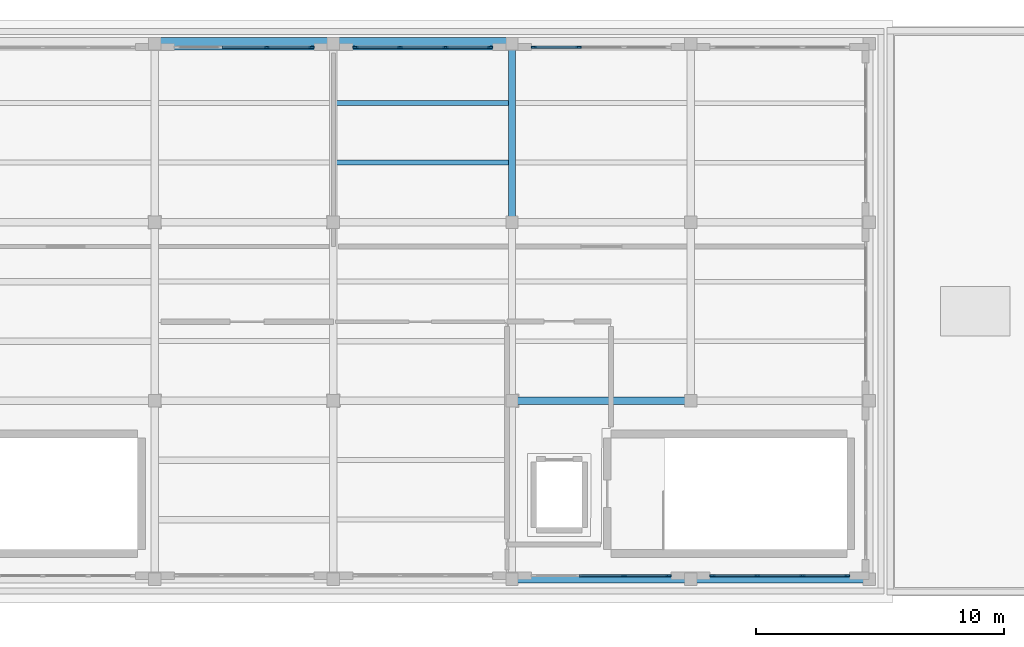
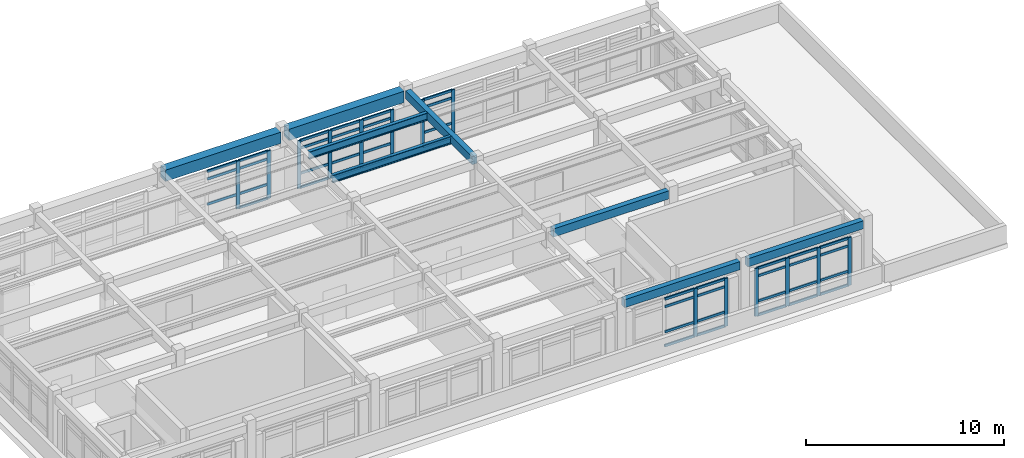
# One storey, part 5 of 12: 57 members, 8 beams, 5 elements without a shape of their own.
"""IFC4 building model written with IfcOpenShell, lengths in metres."""

from ifc_helpers import new_model, si_unit, direction, frame, origin, origin_2d, place, context, subcontext, project, spatial, rectangle, i_section, extrude, material, layer, layer_set, material_profile, profile_set, type_object, element, aggregate, save


model = new_model("IFC4")

# Units and contexts
model_context = context("Model", 3, precision=1e-05, world=origin(), true_north=direction((0.0, 1.0)))
body_context = subcontext(model_context, "Body", "Model", "MODEL_VIEW")
ifc_project = project(units=[si_unit("LENGTHUNIT", "METRE"), si_unit("AREAUNIT", "SQUARE_METRE"), si_unit("VOLUMEUNIT", "CUBIC_METRE"), si_unit("PLANEANGLEUNIT", "RADIAN"), si_unit("MASSUNIT", "GRAM", prefix="KILO")], contexts=[model_context])

# Site, building, storey
site_placement = place(None, origin())
site = spatial("IfcSite", under=ifc_project, at=site_placement, CompositionType="ELEMENT")
building_placement = place(site_placement, origin())
building = spatial("IfcBuilding", under=site, at=building_placement, Name="Solenvale Faculty of Natural Sciences", CompositionType="ELEMENT")
storey_placement = place(building_placement, frame((0.0, 0.0, 52.199951171875)))
storey = spatial("IfcBuildingStorey", under=building, at=storey_placement, Name="RF", CompositionType="ELEMENT", Elevation=52.199951171875)

# Beams
ifc_material_1 = material(Name="Concrete 40 MPa", Category="concrete")
ifc_material_profile_1 = material_profile(ifc_material_1, rectangle(XDim=0.300048828125, YDim=0.5, at=origin_2d()), Name="RC-BM-300x500")
ifc_profile_set_1 = profile_set([ifc_material_profile_1], Name="Concrete 40 MPa")
beam_type_1 = type_object("IfcBeamType", Name="BM-RC-300x500", PredefinedType="BEAM", material=ifc_profile_set_1)
for number, where, z_axis, x_axis, name in (
    (1, (129.830078125, 93.60009765625, 3.670166015625), (1.0, 0.0, 0.0), (0.0, 1.0, 0.0), "RF X-Girder Y93.6 (129.6..136.8)"),
    (2, (137.030029296875, 93.60009765625, 3.670166015625), (1.0, 0.0, 0.0), (0.0, 1.0, 0.0), "RF X-Girder Y93.6 (136.8..144.0)"),
    (3, (129.830078125, 100.800048828125, 3.670166015625), (1.0, 0.0, 0.0), (0.0, 1.0, 0.0), "RF X-Girder Y100.8 (129.6..136.8)"),
    (4, (129.60009765625, 108.22998046875, 3.670166015625), (0.0, 1.0, 0.0), (-1.0, 0.0, 0.0), "RF Y-Girder X129.6 (108.0..115.2)"),
):
    element("IfcBeam", number, at=place(storey_placement, frame(where, z_axis=z_axis, x_axis=x_axis)), inside=storey, type_object=beam_type_1, Name=name, PredefinedType="BEAM", context=body_context, shape_type="SweptSolid", body=[
        extrude(rectangle(XDim=0.300048828125, YDim=0.5, at=origin_2d()), origin(), (0.0, 0.0, 1.0), 6.739990234375),
    ])
ifc_material_2 = material(Name="Precast concrete 40 MPa", Category="concrete")
ifc_material_profile_2 = material_profile(ifc_material_2, rectangle(XDim=0.5, YDim=0.699951171875, at=origin_2d()), Name="RC-BM-500x700")
ifc_profile_set_2 = profile_set([ifc_material_profile_2], Name="Precast concrete 40 MPa")
beam_type_2 = type_object("IfcBeamType", Name="BM-SPN-PRC-700", PredefinedType="SPANDREL", material=ifc_profile_set_2)
beam_1_placement = place(storey_placement, frame((115.429931640625, 115.199951171875, 3.570068359375), z_axis=(1.0, 0.0, 0.0), x_axis=(0.0, 1.0, 0.0)))
element("IfcBeam", 5, at=beam_1_placement, inside=storey, type_object=beam_type_2, Name="RF X-Girder Y115.2 (115.2..122.4)", PredefinedType="SPANDREL", context=body_context, shape_type="SweptSolid", body=[
    extrude(rectangle(XDim=0.5, YDim=0.699951171875, at=origin_2d()), origin(), (0.0, 0.0, 1.0), 6.739990234375),
])
beam_2_placement = place(storey_placement, frame((122.6298828125, 115.199951171875, 3.570068359375), z_axis=(1.0, 0.0, 0.0), x_axis=(0.0, 1.0, 0.0)))
element("IfcBeam", 6, at=beam_2_placement, inside=storey, type_object=beam_type_2, Name="RF X-Girder Y115.2 (122.4..129.6)", PredefinedType="SPANDREL", context=body_context, shape_type="SweptSolid", body=[
    extrude(rectangle(XDim=0.5, YDim=0.699951171875, at=origin_2d()), origin(), (0.0, 0.0, 1.0), 6.740234375),
])
ifc_material_3 = material(Name="Steel S355", Category="steel")
ifc_material_profile_3 = material_profile(ifc_material_3, i_section(OverallWidth=0.194091796875, OverallDepth=0.468994140625, WebThickness=0.0126953125, FlangeThickness=0.0205078125, FilletRadius=0.01806640625, at=origin_2d()), Name="W460x106")
ifc_profile_set_3 = profile_set([ifc_material_profile_3], Name="Steel S355")
beam_type_3 = type_object("IfcBeamType", Name="BM-STL-W460x106", PredefinedType="JOIST", material=ifc_profile_set_3)
for number, where, z_axis, x_axis, name in (
    (7, (122.530029296875, 110.39990234375, 3.685546875), (1.0, 0.0, 0.0), (0.0, 1.0, 0.0), "RF Composite Floor Joist (18,16).1"),
    (8, (122.530029296875, 112.800048828125, 3.685546875), (1.0, 0.0, 0.0), (0.0, 1.0, 0.0), "RF Composite Floor Joist (18,16).2"),
):
    element("IfcBeam", number, at=place(storey_placement, frame(where, z_axis=z_axis, x_axis=x_axis)), inside=storey, type_object=beam_type_3, Name=name, PredefinedType="JOIST", context=body_context, shape_type="SweptSolid", body=[
        extrude(i_section(OverallWidth=0.194091796875, OverallDepth=0.468994140625, WebThickness=0.0126953125, FlangeThickness=0.0205078125, FilletRadius=0.01806640625, at=origin_2d()), origin(), (0.0, 0.0, 1.0), 6.93994140625),
    ])

# Curtain wall, members
ifc_material_4 = material(Name="Anodised bronze aluminium", Category="aluminium")
ifc_layer = layer(ifc_material_4, 0.179931640625)
ifc_layer_set = layer_set([ifc_layer], Name="Anodised bronze aluminium")
curtain_wall_type = type_object("IfcCurtainWallType", Name="CW-TWR-MOD", PredefinedType="USERDEFINED", material=ifc_layer_set)
curtain_wall_1_placement = place(storey_placement, origin())
curtain_wall_1 = element("IfcCurtainWall", 9, at=curtain_wall_1_placement, inside=storey, type_object=curtain_wall_type, Name="RF Curtain Wall CW-RF-P1-E2-B2", ObjectType="UNITISED CURTAIN WALL", PredefinedType="USERDEFINED")
ifc_material_profile_4 = material_profile(ifc_material_4, rectangle(XDim=0.074951171875, YDim=0.2099609375, at=origin_2d()), Name="ALU-MUL-75x210")
ifc_profile_set_4 = profile_set([ifc_material_profile_4], Name="Anodised bronze aluminium")
member_type_1 = type_object("IfcMemberType", Name="CWM-ALU-75x210", PredefinedType="MULLION", material=ifc_profile_set_4)
member_1_placement = place(storey_placement, frame((132.283447265625, 115.0576171875, 0.0), z_axis=(0.0, 0.0, 1.0), x_axis=(0.0, -1.0, 0.0)))
member_1 = element("IfcMember", 10, at=member_1_placement, type_object=member_type_1, Name="CW-04 mullion 3", PredefinedType="MULLION", context=body_context, shape_type="SweptSolid", body=[
    extrude(rectangle(XDim=0.074951171875, YDim=0.2099609375, at=origin_2d()), origin(), (0.0, 0.0, 1.0), 2.9599609375),
])
member_2_placement = place(storey_placement, frame((130.487548828125, 115.0576171875, 0.0), z_axis=(0.0, 0.0, 1.0), x_axis=(0.0, -1.0, 0.0)))
member_2 = element("IfcMember", 11, at=member_2_placement, type_object=member_type_1, Name="CW-04 mullion 4", PredefinedType="MULLION", context=body_context, shape_type="SweptSolid", body=[
    extrude(rectangle(XDim=0.074951171875, YDim=0.2099609375, at=origin_2d()), origin(), (0.0, 0.0, 1.0), 2.9599609375),
])

curtain_wall_2_placement = place(storey_placement, origin())
curtain_wall_2 = element("IfcCurtainWall", 12, at=curtain_wall_2_placement, inside=storey, type_object=curtain_wall_type, Name="RF Curtain Wall CW-RF-P1-E2-B3", ObjectType="UNITISED CURTAIN WALL", PredefinedType="USERDEFINED")
member_3_placement = place(storey_placement, frame((128.71240234375, 115.0576171875, 0.0), z_axis=(0.0, 0.0, 1.0), x_axis=(0.0, -1.0, 0.0)))
member_3 = element("IfcMember", 13, at=member_3_placement, type_object=member_type_1, Name="CW-04 mullion 1", PredefinedType="MULLION", context=body_context, shape_type="SweptSolid", body=[
    extrude(rectangle(XDim=0.074951171875, YDim=0.2099609375, at=origin_2d()), origin(), (0.0, 0.0, 1.0), 2.9599609375),
])
member_4_placement = place(storey_placement, frame((126.916748046875, 115.0576171875, 0.0), z_axis=(0.0, 0.0, 1.0), x_axis=(0.0, -1.0, 0.0)))
member_4 = element("IfcMember", 14, at=member_4_placement, type_object=member_type_1, Name="CW-04 mullion 2", PredefinedType="MULLION", context=body_context, shape_type="SweptSolid", body=[
    extrude(rectangle(XDim=0.074951171875, YDim=0.2099609375, at=origin_2d()), origin(), (0.0, 0.0, 1.0), 2.9599609375),
])
member_5_placement = place(storey_placement, frame((125.083251953125, 115.0576171875, 0.0), z_axis=(0.0, 0.0, 1.0), x_axis=(0.0, -1.0, 0.0)))
member_5 = element("IfcMember", 15, at=member_5_placement, type_object=member_type_1, Name="CW-04 mullion 3", PredefinedType="MULLION", context=body_context, shape_type="SweptSolid", body=[
    extrude(rectangle(XDim=0.074951171875, YDim=0.2099609375, at=origin_2d()), origin(), (0.0, 0.0, 1.0), 2.9599609375),
])
member_6_placement = place(storey_placement, frame((123.28759765625, 115.0576171875, 0.0), z_axis=(0.0, 0.0, 1.0), x_axis=(0.0, -1.0, 0.0)))
member_6 = element("IfcMember", 16, at=member_6_placement, type_object=member_type_1, Name="CW-04 mullion 4", PredefinedType="MULLION", context=body_context, shape_type="SweptSolid", body=[
    extrude(rectangle(XDim=0.074951171875, YDim=0.2099609375, at=origin_2d()), origin(), (0.0, 0.0, 1.0), 2.9599609375),
])

curtain_wall_3_placement = place(storey_placement, origin())
curtain_wall_3 = element("IfcCurtainWall", 17, at=curtain_wall_3_placement, inside=storey, type_object=curtain_wall_type, Name="RF Curtain Wall CW-RF-P1-E2-B4", ObjectType="UNITISED CURTAIN WALL", PredefinedType="USERDEFINED")
member_7_placement = place(storey_placement, frame((121.512451171875, 115.0576171875, 0.0), z_axis=(0.0, 0.0, 1.0), x_axis=(0.0, -1.0, 0.0)))
member_7 = element("IfcMember", 18, at=member_7_placement, type_object=member_type_1, Name="CW-04 mullion 1", PredefinedType="MULLION", context=body_context, shape_type="SweptSolid", body=[
    extrude(rectangle(XDim=0.074951171875, YDim=0.2099609375, at=origin_2d()), origin(), (0.0, 0.0, 1.0), 2.9599609375),
])
member_8_placement = place(storey_placement, frame((119.716552734375, 115.0576171875, 0.0), z_axis=(0.0, 0.0, 1.0), x_axis=(0.0, -1.0, 0.0)))
member_8 = element("IfcMember", 19, at=member_8_placement, type_object=member_type_1, Name="CW-04 mullion 2", PredefinedType="MULLION", context=body_context, shape_type="SweptSolid", body=[
    extrude(rectangle(XDim=0.074951171875, YDim=0.2099609375, at=origin_2d()), origin(), (0.0, 0.0, 1.0), 2.9599609375),
])

curtain_wall_4_placement = place(storey_placement, origin())
curtain_wall_4 = element("IfcCurtainWall", 20, at=curtain_wall_4_placement, inside=storey, type_object=curtain_wall_type, Name="RF Curtain Wall CW-RF-P1-E4-B5", ObjectType="UNITISED CURTAIN WALL", PredefinedType="USERDEFINED")
member_9_placement = place(storey_placement, frame((134.11669921875, 93.742431640625, 0.0), z_axis=(0.0, 0.0, 1.0), x_axis=(0.0, 1.0, 0.0)))
member_9 = element("IfcMember", 21, at=member_9_placement, type_object=member_type_1, Name="CW-04 mullion 3", PredefinedType="MULLION", context=body_context, shape_type="SweptSolid", body=[
    extrude(rectangle(XDim=0.074951171875, YDim=0.2099609375, at=origin_2d()), origin(), (0.0, 0.0, 1.0), 2.9599609375),
])
member_10_placement = place(storey_placement, frame((135.91259765625, 93.742431640625, 0.0), z_axis=(0.0, 0.0, 1.0), x_axis=(0.0, 1.0, 0.0)))
member_10 = element("IfcMember", 22, at=member_10_placement, type_object=member_type_1, Name="CW-04 mullion 4", PredefinedType="MULLION", context=body_context, shape_type="SweptSolid", body=[
    extrude(rectangle(XDim=0.074951171875, YDim=0.2099609375, at=origin_2d()), origin(), (0.0, 0.0, 1.0), 2.9599609375),
])

curtain_wall_5_placement = place(storey_placement, origin())
curtain_wall_5 = element("IfcCurtainWall", 23, at=curtain_wall_5_placement, inside=storey, type_object=curtain_wall_type, Name="RF Curtain Wall CW-RF-P1-E4-B6", ObjectType="UNITISED CURTAIN WALL", PredefinedType="USERDEFINED")
member_11_placement = place(storey_placement, frame((137.6875, 93.742431640625, 0.0), z_axis=(0.0, 0.0, 1.0), x_axis=(0.0, 1.0, 0.0)))
member_11 = element("IfcMember", 24, at=member_11_placement, type_object=member_type_1, Name="CW-04 mullion 1", PredefinedType="MULLION", context=body_context, shape_type="SweptSolid", body=[
    extrude(rectangle(XDim=0.074951171875, YDim=0.2099609375, at=origin_2d()), origin(), (0.0, 0.0, 1.0), 2.9599609375),
])
member_12_placement = place(storey_placement, frame((139.4833984375, 93.742431640625, 0.0), z_axis=(0.0, 0.0, 1.0), x_axis=(0.0, 1.0, 0.0)))
member_12 = element("IfcMember", 25, at=member_12_placement, type_object=member_type_1, Name="CW-04 mullion 2", PredefinedType="MULLION", context=body_context, shape_type="SweptSolid", body=[
    extrude(rectangle(XDim=0.074951171875, YDim=0.2099609375, at=origin_2d()), origin(), (0.0, 0.0, 1.0), 2.9599609375),
])
member_13_placement = place(storey_placement, frame((141.316650390625, 93.742431640625, 0.0), z_axis=(0.0, 0.0, 1.0), x_axis=(0.0, 1.0, 0.0)))
member_13 = element("IfcMember", 26, at=member_13_placement, type_object=member_type_1, Name="CW-04 mullion 3", PredefinedType="MULLION", context=body_context, shape_type="SweptSolid", body=[
    extrude(rectangle(XDim=0.074951171875, YDim=0.2099609375, at=origin_2d()), origin(), (0.0, 0.0, 1.0), 2.9599609375),
])
member_14_placement = place(storey_placement, frame((143.112548828125, 93.742431640625, 0.0), z_axis=(0.0, 0.0, 1.0), x_axis=(0.0, 1.0, 0.0)))
member_14 = element("IfcMember", 27, at=member_14_placement, type_object=member_type_1, Name="CW-04 mullion 4", PredefinedType="MULLION", context=body_context, shape_type="SweptSolid", body=[
    extrude(rectangle(XDim=0.074951171875, YDim=0.2099609375, at=origin_2d()), origin(), (0.0, 0.0, 1.0), 2.9599609375),
])

# Member
ifc_material_profile_5 = material_profile(ifc_material_4, rectangle(XDim=0.074951171875, YDim=0.155029296875, at=origin_2d()), Name="ALU-TRN-75x155")
ifc_profile_set_5 = profile_set([ifc_material_profile_5], Name="Anodised bronze aluminium")
member_type_2 = type_object("IfcMemberType", Name="CWT-ALU-75x155", PredefinedType="USERDEFINED", material=ifc_profile_set_5)
member_15_placement = place(storey_placement, frame((132.245849609375, 115.0576171875, 0.03759765625), z_axis=(-1.0, 0.0, 0.0), x_axis=(0.0, -1.0, 0.0)))
member_15 = element("IfcMember", 28, at=member_15_placement, type_object=member_type_2, Name="CW-04 transom 3.1", ObjectType="TRANSOM", PredefinedType="USERDEFINED", context=body_context, shape_type="SweptSolid", body=[
    extrude(rectangle(XDim=0.074951171875, YDim=0.155029296875, at=origin_2d()), origin(), (0.0, 0.0, 1.0), 1.720947265625),
])

member_16_placement = place(storey_placement, frame((132.245849609375, 115.0576171875, 0.900146484375), z_axis=(-1.0, 0.0, 0.0), x_axis=(0.0, -1.0, 0.0)))
member_16 = element("IfcMember", 29, at=member_16_placement, type_object=member_type_2, Name="CW-04 transom 3.2", ObjectType="TRANSOM", PredefinedType="USERDEFINED", context=body_context, shape_type="SweptSolid", body=[
    extrude(rectangle(XDim=0.074951171875, YDim=0.155029296875, at=origin_2d()), origin(), (0.0, 0.0, 1.0), 1.720947265625),
])

member_17_placement = place(storey_placement, frame((132.245849609375, 115.0576171875, 2.4599609375), z_axis=(-1.0, 0.0, 0.0), x_axis=(0.0, -1.0, 0.0)))
member_17 = element("IfcMember", 30, at=member_17_placement, type_object=member_type_2, Name="CW-04 transom 3.3", ObjectType="TRANSOM", PredefinedType="USERDEFINED", context=body_context, shape_type="SweptSolid", body=[
    extrude(rectangle(XDim=0.074951171875, YDim=0.155029296875, at=origin_2d()), origin(), (0.0, 0.0, 1.0), 1.720947265625),
])

member_18_placement = place(storey_placement, frame((132.245849609375, 115.0576171875, 2.922607421875), z_axis=(-1.0, 0.0, 0.0), x_axis=(0.0, -1.0, 0.0)))
member_18 = element("IfcMember", 31, at=member_18_placement, type_object=member_type_2, Name="CW-04 transom 3.4", ObjectType="TRANSOM", PredefinedType="USERDEFINED", context=body_context, shape_type="SweptSolid", body=[
    extrude(rectangle(XDim=0.074951171875, YDim=0.155029296875, at=origin_2d()), origin(), (0.0, 0.0, 1.0), 1.720947265625),
])

aggregate(curtain_wall_1, [member_1, member_2, member_15, member_16, member_17, member_18])

member_19_placement = place(storey_placement, frame((128.675048828125, 115.0576171875, 0.03759765625), z_axis=(-1.0, 0.0, 0.0), x_axis=(0.0, -1.0, 0.0)))
member_19 = element("IfcMember", 32, at=member_19_placement, type_object=member_type_2, Name="CW-04 transom 1.1", ObjectType="TRANSOM", PredefinedType="USERDEFINED", context=body_context, shape_type="SweptSolid", body=[
    extrude(rectangle(XDim=0.074951171875, YDim=0.155029296875, at=origin_2d()), origin(), (0.0, 0.0, 1.0), 1.720947265625),
])

member_20_placement = place(storey_placement, frame((128.675048828125, 115.0576171875, 0.900146484375), z_axis=(-1.0, 0.0, 0.0), x_axis=(0.0, -1.0, 0.0)))
member_20 = element("IfcMember", 33, at=member_20_placement, type_object=member_type_2, Name="CW-04 transom 1.2", ObjectType="TRANSOM", PredefinedType="USERDEFINED", context=body_context, shape_type="SweptSolid", body=[
    extrude(rectangle(XDim=0.074951171875, YDim=0.155029296875, at=origin_2d()), origin(), (0.0, 0.0, 1.0), 1.720947265625),
])

member_21_placement = place(storey_placement, frame((128.675048828125, 115.0576171875, 2.4599609375), z_axis=(-1.0, 0.0, 0.0), x_axis=(0.0, -1.0, 0.0)))
member_21 = element("IfcMember", 34, at=member_21_placement, type_object=member_type_2, Name="CW-04 transom 1.3", ObjectType="TRANSOM", PredefinedType="USERDEFINED", context=body_context, shape_type="SweptSolid", body=[
    extrude(rectangle(XDim=0.074951171875, YDim=0.155029296875, at=origin_2d()), origin(), (0.0, 0.0, 1.0), 1.720947265625),
])

member_22_placement = place(storey_placement, frame((128.675048828125, 115.0576171875, 2.922607421875), z_axis=(-1.0, 0.0, 0.0), x_axis=(0.0, -1.0, 0.0)))
member_22 = element("IfcMember", 35, at=member_22_placement, type_object=member_type_2, Name="CW-04 transom 1.4", ObjectType="TRANSOM", PredefinedType="USERDEFINED", context=body_context, shape_type="SweptSolid", body=[
    extrude(rectangle(XDim=0.074951171875, YDim=0.155029296875, at=origin_2d()), origin(), (0.0, 0.0, 1.0), 1.720947265625),
])

member_23_placement = place(storey_placement, frame((126.879150390625, 115.0576171875, 0.03759765625), z_axis=(-1.0, 0.0, 0.0), x_axis=(0.0, -1.0, 0.0)))
member_23 = element("IfcMember", 36, at=member_23_placement, type_object=member_type_2, Name="CW-04 transom 2.1", ObjectType="TRANSOM", PredefinedType="USERDEFINED", context=body_context, shape_type="SweptSolid", body=[
    extrude(rectangle(XDim=0.074951171875, YDim=0.155029296875, at=origin_2d()), origin(), (0.0, 0.0, 1.0), 1.75830078125),
])

member_24_placement = place(storey_placement, frame((126.879150390625, 115.0576171875, 0.900146484375), z_axis=(-1.0, 0.0, 0.0), x_axis=(0.0, -1.0, 0.0)))
member_24 = element("IfcMember", 37, at=member_24_placement, type_object=member_type_2, Name="CW-04 transom 2.2", ObjectType="TRANSOM", PredefinedType="USERDEFINED", context=body_context, shape_type="SweptSolid", body=[
    extrude(rectangle(XDim=0.074951171875, YDim=0.155029296875, at=origin_2d()), origin(), (0.0, 0.0, 1.0), 1.75830078125),
])

member_25_placement = place(storey_placement, frame((126.879150390625, 115.0576171875, 2.4599609375), z_axis=(-1.0, 0.0, 0.0), x_axis=(0.0, -1.0, 0.0)))
member_25 = element("IfcMember", 38, at=member_25_placement, type_object=member_type_2, Name="CW-04 transom 2.3", ObjectType="TRANSOM", PredefinedType="USERDEFINED", context=body_context, shape_type="SweptSolid", body=[
    extrude(rectangle(XDim=0.074951171875, YDim=0.155029296875, at=origin_2d()), origin(), (0.0, 0.0, 1.0), 1.75830078125),
])

member_26_placement = place(storey_placement, frame((126.879150390625, 115.0576171875, 2.922607421875), z_axis=(-1.0, 0.0, 0.0), x_axis=(0.0, -1.0, 0.0)))
member_26 = element("IfcMember", 39, at=member_26_placement, type_object=member_type_2, Name="CW-04 transom 2.4", ObjectType="TRANSOM", PredefinedType="USERDEFINED", context=body_context, shape_type="SweptSolid", body=[
    extrude(rectangle(XDim=0.074951171875, YDim=0.155029296875, at=origin_2d()), origin(), (0.0, 0.0, 1.0), 1.75830078125),
])

member_27_placement = place(storey_placement, frame((125.0458984375, 115.0576171875, 0.03759765625), z_axis=(-1.0, 0.0, 0.0), x_axis=(0.0, -1.0, 0.0)))
member_27 = element("IfcMember", 40, at=member_27_placement, type_object=member_type_2, Name="CW-04 transom 3.1", ObjectType="TRANSOM", PredefinedType="USERDEFINED", context=body_context, shape_type="SweptSolid", body=[
    extrude(rectangle(XDim=0.074951171875, YDim=0.155029296875, at=origin_2d()), origin(), (0.0, 0.0, 1.0), 1.720947265625),
])

member_28_placement = place(storey_placement, frame((125.0458984375, 115.0576171875, 0.900146484375), z_axis=(-1.0, 0.0, 0.0), x_axis=(0.0, -1.0, 0.0)))
member_28 = element("IfcMember", 41, at=member_28_placement, type_object=member_type_2, Name="CW-04 transom 3.2", ObjectType="TRANSOM", PredefinedType="USERDEFINED", context=body_context, shape_type="SweptSolid", body=[
    extrude(rectangle(XDim=0.074951171875, YDim=0.155029296875, at=origin_2d()), origin(), (0.0, 0.0, 1.0), 1.720947265625),
])

member_29_placement = place(storey_placement, frame((125.0458984375, 115.0576171875, 2.4599609375), z_axis=(-1.0, 0.0, 0.0), x_axis=(0.0, -1.0, 0.0)))
member_29 = element("IfcMember", 42, at=member_29_placement, type_object=member_type_2, Name="CW-04 transom 3.3", ObjectType="TRANSOM", PredefinedType="USERDEFINED", context=body_context, shape_type="SweptSolid", body=[
    extrude(rectangle(XDim=0.074951171875, YDim=0.155029296875, at=origin_2d()), origin(), (0.0, 0.0, 1.0), 1.720947265625),
])

member_30_placement = place(storey_placement, frame((125.0458984375, 115.0576171875, 2.922607421875), z_axis=(-1.0, 0.0, 0.0), x_axis=(0.0, -1.0, 0.0)))
member_30 = element("IfcMember", 43, at=member_30_placement, type_object=member_type_2, Name="CW-04 transom 3.4", ObjectType="TRANSOM", PredefinedType="USERDEFINED", context=body_context, shape_type="SweptSolid", body=[
    extrude(rectangle(XDim=0.074951171875, YDim=0.155029296875, at=origin_2d()), origin(), (0.0, 0.0, 1.0), 1.720947265625),
])

aggregate(curtain_wall_2, [member_3, member_4, member_5, member_6, member_19, member_20, member_21, member_22, member_23, member_24, member_25, member_26, member_27, member_28, member_29, member_30])

member_31_placement = place(storey_placement, frame((121.47509765625, 115.0576171875, 0.03759765625), z_axis=(-1.0, 0.0, 0.0), x_axis=(0.0, -1.0, 0.0)))
member_31 = element("IfcMember", 44, at=member_31_placement, type_object=member_type_2, Name="CW-04 transom 1.1", ObjectType="TRANSOM", PredefinedType="USERDEFINED", context=body_context, shape_type="SweptSolid", body=[
    extrude(rectangle(XDim=0.074951171875, YDim=0.155029296875, at=origin_2d()), origin(), (0.0, 0.0, 1.0), 1.720947265625),
])

member_32_placement = place(storey_placement, frame((121.47509765625, 115.0576171875, 0.900146484375), z_axis=(-1.0, 0.0, 0.0), x_axis=(0.0, -1.0, 0.0)))
member_32 = element("IfcMember", 45, at=member_32_placement, type_object=member_type_2, Name="CW-04 transom 1.2", ObjectType="TRANSOM", PredefinedType="USERDEFINED", context=body_context, shape_type="SweptSolid", body=[
    extrude(rectangle(XDim=0.074951171875, YDim=0.155029296875, at=origin_2d()), origin(), (0.0, 0.0, 1.0), 1.720947265625),
])

member_33_placement = place(storey_placement, frame((121.47509765625, 115.0576171875, 2.4599609375), z_axis=(-1.0, 0.0, 0.0), x_axis=(0.0, -1.0, 0.0)))
member_33 = element("IfcMember", 46, at=member_33_placement, type_object=member_type_2, Name="CW-04 transom 1.3", ObjectType="TRANSOM", PredefinedType="USERDEFINED", context=body_context, shape_type="SweptSolid", body=[
    extrude(rectangle(XDim=0.074951171875, YDim=0.155029296875, at=origin_2d()), origin(), (0.0, 0.0, 1.0), 1.720947265625),
])

member_34_placement = place(storey_placement, frame((121.47509765625, 115.0576171875, 2.922607421875), z_axis=(-1.0, 0.0, 0.0), x_axis=(0.0, -1.0, 0.0)))
member_34 = element("IfcMember", 47, at=member_34_placement, type_object=member_type_2, Name="CW-04 transom 1.4", ObjectType="TRANSOM", PredefinedType="USERDEFINED", context=body_context, shape_type="SweptSolid", body=[
    extrude(rectangle(XDim=0.074951171875, YDim=0.155029296875, at=origin_2d()), origin(), (0.0, 0.0, 1.0), 1.720947265625),
])

member_35_placement = place(storey_placement, frame((119.67919921875, 115.0576171875, 0.900146484375), z_axis=(-1.0, 0.0, 0.0), x_axis=(0.0, -1.0, 0.0)))
member_35 = element("IfcMember", 48, at=member_35_placement, type_object=member_type_2, Name="CW-04 transom 2.2", ObjectType="TRANSOM", PredefinedType="USERDEFINED", context=body_context, shape_type="SweptSolid", body=[
    extrude(rectangle(XDim=0.074951171875, YDim=0.155029296875, at=origin_2d()), origin(), (0.0, 0.0, 1.0), 1.75830078125),
])

member_36_placement = place(storey_placement, frame((119.67919921875, 115.0576171875, 2.4599609375), z_axis=(-1.0, 0.0, 0.0), x_axis=(0.0, -1.0, 0.0)))
member_36 = element("IfcMember", 49, at=member_36_placement, type_object=member_type_2, Name="CW-04 transom 2.3", ObjectType="TRANSOM", PredefinedType="USERDEFINED", context=body_context, shape_type="SweptSolid", body=[
    extrude(rectangle(XDim=0.074951171875, YDim=0.155029296875, at=origin_2d()), origin(), (0.0, 0.0, 1.0), 1.75830078125),
])

member_37_placement = place(storey_placement, frame((119.67919921875, 115.0576171875, 2.922607421875), z_axis=(-1.0, 0.0, 0.0), x_axis=(0.0, -1.0, 0.0)))
member_37 = element("IfcMember", 50, at=member_37_placement, type_object=member_type_2, Name="CW-04 transom 2.4", ObjectType="TRANSOM", PredefinedType="USERDEFINED", context=body_context, shape_type="SweptSolid", body=[
    extrude(rectangle(XDim=0.074951171875, YDim=0.155029296875, at=origin_2d()), origin(), (0.0, 0.0, 1.0), 1.75830078125),
])

aggregate(curtain_wall_3, [member_7, member_8, member_31, member_32, member_33, member_34, member_35, member_36, member_37])

member_38_placement = place(storey_placement, frame((132.32080078125, 93.742431640625, 0.03759765625), z_axis=(1.0, 0.0, 0.0), x_axis=(0.0, 1.0, 0.0)))
member_38 = element("IfcMember", 51, at=member_38_placement, type_object=member_type_2, Name="CW-04 transom 2.1", ObjectType="TRANSOM", PredefinedType="USERDEFINED", context=body_context, shape_type="SweptSolid", body=[
    extrude(rectangle(XDim=0.074951171875, YDim=0.155029296875, at=origin_2d()), origin(), (0.0, 0.0, 1.0), 1.75830078125),
])

member_39_placement = place(storey_placement, frame((132.32080078125, 93.742431640625, 0.900146484375), z_axis=(1.0, 0.0, 0.0), x_axis=(0.0, 1.0, 0.0)))
member_39 = element("IfcMember", 52, at=member_39_placement, type_object=member_type_2, Name="CW-04 transom 2.2", ObjectType="TRANSOM", PredefinedType="USERDEFINED", context=body_context, shape_type="SweptSolid", body=[
    extrude(rectangle(XDim=0.074951171875, YDim=0.155029296875, at=origin_2d()), origin(), (0.0, 0.0, 1.0), 1.75830078125),
])

member_40_placement = place(storey_placement, frame((132.32080078125, 93.742431640625, 2.4599609375), z_axis=(1.0, 0.0, 0.0), x_axis=(0.0, 1.0, 0.0)))
member_40 = element("IfcMember", 53, at=member_40_placement, type_object=member_type_2, Name="CW-04 transom 2.3", ObjectType="TRANSOM", PredefinedType="USERDEFINED", context=body_context, shape_type="SweptSolid", body=[
    extrude(rectangle(XDim=0.074951171875, YDim=0.155029296875, at=origin_2d()), origin(), (0.0, 0.0, 1.0), 1.75830078125),
])

member_41_placement = place(storey_placement, frame((132.32080078125, 93.742431640625, 2.922607421875), z_axis=(1.0, 0.0, 0.0), x_axis=(0.0, 1.0, 0.0)))
member_41 = element("IfcMember", 54, at=member_41_placement, type_object=member_type_2, Name="CW-04 transom 2.4", ObjectType="TRANSOM", PredefinedType="USERDEFINED", context=body_context, shape_type="SweptSolid", body=[
    extrude(rectangle(XDim=0.074951171875, YDim=0.155029296875, at=origin_2d()), origin(), (0.0, 0.0, 1.0), 1.75830078125),
])

member_42_placement = place(storey_placement, frame((134.154052734375, 93.742431640625, 0.03759765625), z_axis=(1.0, 0.0, 0.0), x_axis=(0.0, 1.0, 0.0)))
member_42 = element("IfcMember", 55, at=member_42_placement, type_object=member_type_2, Name="CW-04 transom 3.1", ObjectType="TRANSOM", PredefinedType="USERDEFINED", context=body_context, shape_type="SweptSolid", body=[
    extrude(rectangle(XDim=0.074951171875, YDim=0.155029296875, at=origin_2d()), origin(), (0.0, 0.0, 1.0), 1.720947265625),
])

member_43_placement = place(storey_placement, frame((134.154052734375, 93.742431640625, 0.900146484375), z_axis=(1.0, 0.0, 0.0), x_axis=(0.0, 1.0, 0.0)))
member_43 = element("IfcMember", 56, at=member_43_placement, type_object=member_type_2, Name="CW-04 transom 3.2", ObjectType="TRANSOM", PredefinedType="USERDEFINED", context=body_context, shape_type="SweptSolid", body=[
    extrude(rectangle(XDim=0.074951171875, YDim=0.155029296875, at=origin_2d()), origin(), (0.0, 0.0, 1.0), 1.720947265625),
])

member_44_placement = place(storey_placement, frame((134.154052734375, 93.742431640625, 2.4599609375), z_axis=(1.0, 0.0, 0.0), x_axis=(0.0, 1.0, 0.0)))
member_44 = element("IfcMember", 57, at=member_44_placement, type_object=member_type_2, Name="CW-04 transom 3.3", ObjectType="TRANSOM", PredefinedType="USERDEFINED", context=body_context, shape_type="SweptSolid", body=[
    extrude(rectangle(XDim=0.074951171875, YDim=0.155029296875, at=origin_2d()), origin(), (0.0, 0.0, 1.0), 1.720947265625),
])

member_45_placement = place(storey_placement, frame((134.154052734375, 93.742431640625, 2.922607421875), z_axis=(1.0, 0.0, 0.0), x_axis=(0.0, 1.0, 0.0)))
member_45 = element("IfcMember", 58, at=member_45_placement, type_object=member_type_2, Name="CW-04 transom 3.4", ObjectType="TRANSOM", PredefinedType="USERDEFINED", context=body_context, shape_type="SweptSolid", body=[
    extrude(rectangle(XDim=0.074951171875, YDim=0.155029296875, at=origin_2d()), origin(), (0.0, 0.0, 1.0), 1.720947265625),
])

aggregate(curtain_wall_4, [member_9, member_10, member_38, member_39, member_40, member_41, member_42, member_43, member_44, member_45])

member_46_placement = place(storey_placement, frame((137.72509765625, 93.742431640625, 0.03759765625), z_axis=(1.0, 0.0, 0.0), x_axis=(0.0, 1.0, 0.0)))
member_46 = element("IfcMember", 59, at=member_46_placement, type_object=member_type_2, Name="CW-04 transom 1.1", ObjectType="TRANSOM", PredefinedType="USERDEFINED", context=body_context, shape_type="SweptSolid", body=[
    extrude(rectangle(XDim=0.074951171875, YDim=0.155029296875, at=origin_2d()), origin(), (0.0, 0.0, 1.0), 1.720703125),
])

member_47_placement = place(storey_placement, frame((137.72509765625, 93.742431640625, 0.900146484375), z_axis=(1.0, 0.0, 0.0), x_axis=(0.0, 1.0, 0.0)))
member_47 = element("IfcMember", 60, at=member_47_placement, type_object=member_type_2, Name="CW-04 transom 1.2", ObjectType="TRANSOM", PredefinedType="USERDEFINED", context=body_context, shape_type="SweptSolid", body=[
    extrude(rectangle(XDim=0.074951171875, YDim=0.155029296875, at=origin_2d()), origin(), (0.0, 0.0, 1.0), 1.720703125),
])

member_48_placement = place(storey_placement, frame((137.72509765625, 93.742431640625, 2.4599609375), z_axis=(1.0, 0.0, 0.0), x_axis=(0.0, 1.0, 0.0)))
member_48 = element("IfcMember", 61, at=member_48_placement, type_object=member_type_2, Name="CW-04 transom 1.3", ObjectType="TRANSOM", PredefinedType="USERDEFINED", context=body_context, shape_type="SweptSolid", body=[
    extrude(rectangle(XDim=0.074951171875, YDim=0.155029296875, at=origin_2d()), origin(), (0.0, 0.0, 1.0), 1.720703125),
])

member_49_placement = place(storey_placement, frame((137.72509765625, 93.742431640625, 2.922607421875), z_axis=(1.0, 0.0, 0.0), x_axis=(0.0, 1.0, 0.0)))
member_49 = element("IfcMember", 62, at=member_49_placement, type_object=member_type_2, Name="CW-04 transom 1.4", ObjectType="TRANSOM", PredefinedType="USERDEFINED", context=body_context, shape_type="SweptSolid", body=[
    extrude(rectangle(XDim=0.074951171875, YDim=0.155029296875, at=origin_2d()), origin(), (0.0, 0.0, 1.0), 1.720703125),
])

member_50_placement = place(storey_placement, frame((139.520751953125, 93.742431640625, 0.03759765625), z_axis=(1.0, 0.0, 0.0), x_axis=(0.0, 1.0, 0.0)))
member_50 = element("IfcMember", 63, at=member_50_placement, type_object=member_type_2, Name="CW-04 transom 2.1", ObjectType="TRANSOM", PredefinedType="USERDEFINED", context=body_context, shape_type="SweptSolid", body=[
    extrude(rectangle(XDim=0.074951171875, YDim=0.155029296875, at=origin_2d()), origin(), (0.0, 0.0, 1.0), 1.75830078125),
])

member_51_placement = place(storey_placement, frame((139.520751953125, 93.742431640625, 0.900146484375), z_axis=(1.0, 0.0, 0.0), x_axis=(0.0, 1.0, 0.0)))
member_51 = element("IfcMember", 64, at=member_51_placement, type_object=member_type_2, Name="CW-04 transom 2.2", ObjectType="TRANSOM", PredefinedType="USERDEFINED", context=body_context, shape_type="SweptSolid", body=[
    extrude(rectangle(XDim=0.074951171875, YDim=0.155029296875, at=origin_2d()), origin(), (0.0, 0.0, 1.0), 1.75830078125),
])

member_52_placement = place(storey_placement, frame((139.520751953125, 93.742431640625, 2.4599609375), z_axis=(1.0, 0.0, 0.0), x_axis=(0.0, 1.0, 0.0)))
member_52 = element("IfcMember", 65, at=member_52_placement, type_object=member_type_2, Name="CW-04 transom 2.3", ObjectType="TRANSOM", PredefinedType="USERDEFINED", context=body_context, shape_type="SweptSolid", body=[
    extrude(rectangle(XDim=0.074951171875, YDim=0.155029296875, at=origin_2d()), origin(), (0.0, 0.0, 1.0), 1.75830078125),
])

member_53_placement = place(storey_placement, frame((139.520751953125, 93.742431640625, 2.922607421875), z_axis=(1.0, 0.0, 0.0), x_axis=(0.0, 1.0, 0.0)))
member_53 = element("IfcMember", 66, at=member_53_placement, type_object=member_type_2, Name="CW-04 transom 2.4", ObjectType="TRANSOM", PredefinedType="USERDEFINED", context=body_context, shape_type="SweptSolid", body=[
    extrude(rectangle(XDim=0.074951171875, YDim=0.155029296875, at=origin_2d()), origin(), (0.0, 0.0, 1.0), 1.75830078125),
])

member_54_placement = place(storey_placement, frame((141.354248046875, 93.742431640625, 0.03759765625), z_axis=(1.0, 0.0, 0.0), x_axis=(0.0, 1.0, 0.0)))
member_54 = element("IfcMember", 67, at=member_54_placement, type_object=member_type_2, Name="CW-04 transom 3.1", ObjectType="TRANSOM", PredefinedType="USERDEFINED", context=body_context, shape_type="SweptSolid", body=[
    extrude(rectangle(XDim=0.074951171875, YDim=0.155029296875, at=origin_2d()), origin(), (0.0, 0.0, 1.0), 1.720703125),
])

member_55_placement = place(storey_placement, frame((141.354248046875, 93.742431640625, 0.900146484375), z_axis=(1.0, 0.0, 0.0), x_axis=(0.0, 1.0, 0.0)))
member_55 = element("IfcMember", 68, at=member_55_placement, type_object=member_type_2, Name="CW-04 transom 3.2", ObjectType="TRANSOM", PredefinedType="USERDEFINED", context=body_context, shape_type="SweptSolid", body=[
    extrude(rectangle(XDim=0.074951171875, YDim=0.155029296875, at=origin_2d()), origin(), (0.0, 0.0, 1.0), 1.720703125),
])

member_56_placement = place(storey_placement, frame((141.354248046875, 93.742431640625, 2.4599609375), z_axis=(1.0, 0.0, 0.0), x_axis=(0.0, 1.0, 0.0)))
member_56 = element("IfcMember", 69, at=member_56_placement, type_object=member_type_2, Name="CW-04 transom 3.3", ObjectType="TRANSOM", PredefinedType="USERDEFINED", context=body_context, shape_type="SweptSolid", body=[
    extrude(rectangle(XDim=0.074951171875, YDim=0.155029296875, at=origin_2d()), origin(), (0.0, 0.0, 1.0), 1.720703125),
])

member_57_placement = place(storey_placement, frame((141.354248046875, 93.742431640625, 2.922607421875), z_axis=(1.0, 0.0, 0.0), x_axis=(0.0, 1.0, 0.0)))
member_57 = element("IfcMember", 70, at=member_57_placement, type_object=member_type_2, Name="CW-04 transom 3.4", ObjectType="TRANSOM", PredefinedType="USERDEFINED", context=body_context, shape_type="SweptSolid", body=[
    extrude(rectangle(XDim=0.074951171875, YDim=0.155029296875, at=origin_2d()), origin(), (0.0, 0.0, 1.0), 1.720703125),
])

aggregate(curtain_wall_5, [member_11, member_12, member_13, member_14, member_46, member_47, member_48, member_49, member_50, member_51, member_52, member_53, member_54, member_55, member_56, member_57])

save(model, "model.ifc")
